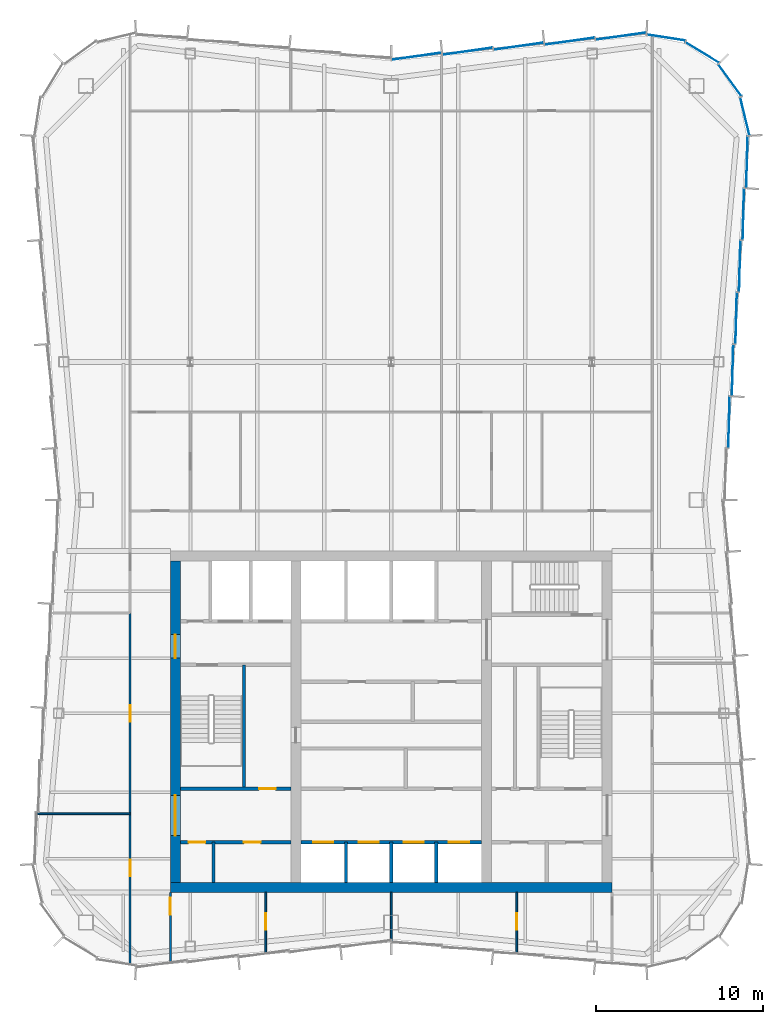
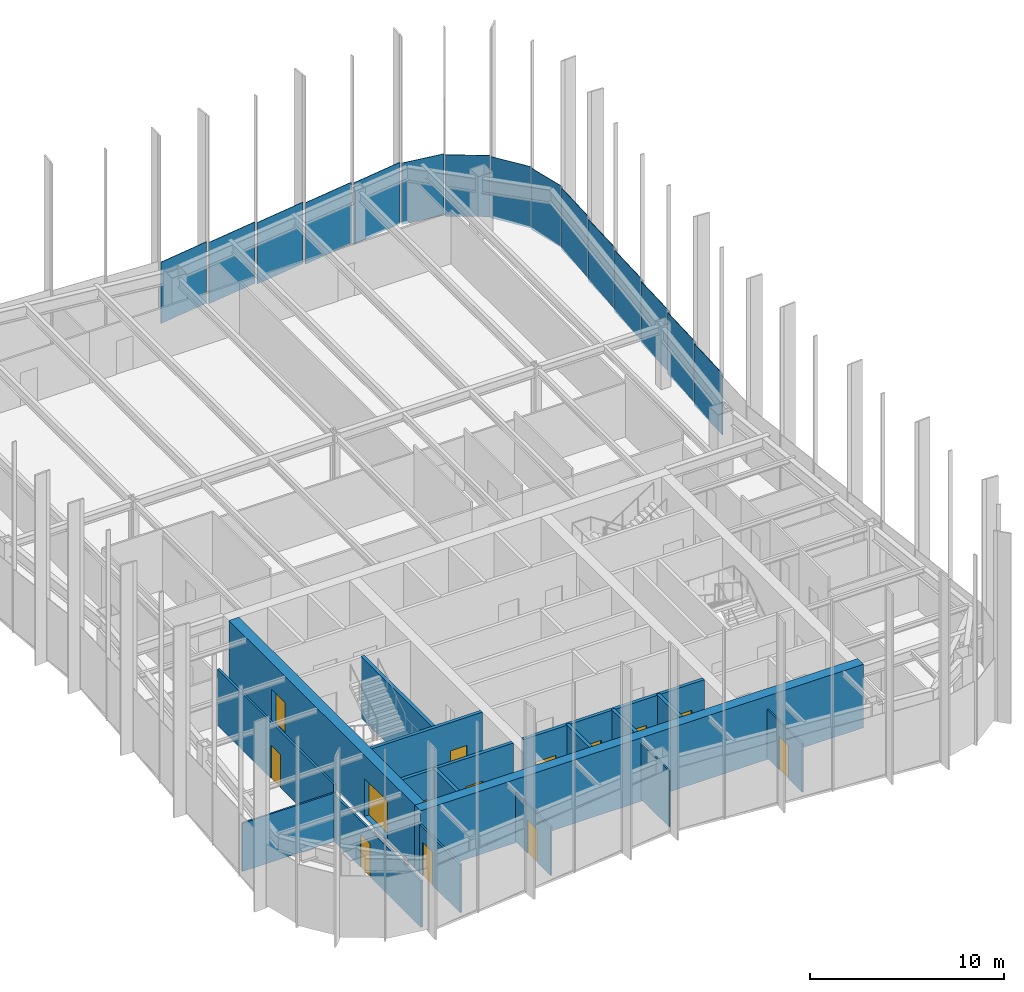
# One storey, part 9 of 13: 17 walls, 15 plates, 14 doors, 14 openings, 3 elements without a shape of their own.
"""IFC4 building model written with IfcOpenShell, lengths in metres."""

from ifc_helpers import new_model, si_unit, direction, frame, frame_2d, origin, origin_2d, place, context, subcontext, project, spatial, rectangle, extrude, material, layer, layer_set, type_object, element, fill, aggregate, save


model = new_model("IFC4")

# Units and contexts
model_context = context("Model", 3, precision=1e-05, world=origin(), true_north=direction((0.0, 1.0)))
body_context = subcontext(model_context, "Body", "Model", "MODEL_VIEW")
ifc_project = project(units=[si_unit("LENGTHUNIT", "METRE"), si_unit("AREAUNIT", "SQUARE_METRE"), si_unit("VOLUMEUNIT", "CUBIC_METRE"), si_unit("PLANEANGLEUNIT", "RADIAN"), si_unit("MASSUNIT", "GRAM", prefix="KILO")], contexts=[model_context])

# Site, building, storey
site_placement = place(None, origin())
site = spatial("IfcSite", under=ifc_project, at=site_placement, CompositionType="ELEMENT")
building_placement = place(site_placement, origin())
building = spatial("IfcBuilding", under=site, at=building_placement, Name="Verdant Reach Tower", CompositionType="ELEMENT")
storey_placement = place(building_placement, frame((0.0, 0.0, 294.0)))
storey = spatial("IfcBuildingStorey", under=building, at=storey_placement, Name="L67", CompositionType="ELEMENT", Elevation=294.0)

# Curtain wall, plates
ifc_material_1 = material(Name="Anodised aluminium", Category="aluminium")
curtain_wall_type = type_object("IfcCurtainWallType", Name="EN-CW SYSTEM Z5", PredefinedType="NOTDEFINED", material=ifc_material_1)
curtain_wall_1_placement = place(storey_placement, origin())
curtain_wall_1 = element("IfcCurtainWall", 1, at=curtain_wall_1_placement, inside=storey, type_object=curtain_wall_type, Name="Curtain wall east, L67", PredefinedType="NOTDEFINED")
ifc_material_2 = material(Name="Tinted glass with champagne spandrel", Category="glass")
ifc_layer_1 = layer(ifc_material_2, 0.031982421875)
ifc_layer_set_1 = layer_set([ifc_layer_1], Name="EN-PANEL CHAMPAGNE")
plate_type_1 = type_object("IfcPlateType", Name="EN-PANEL CHAMPAGNE", PredefinedType="CURTAIN_PANEL", material=ifc_layer_set_1)
plate_1_placement = place(storey_placement, frame((20.18603515625, 45.90283203125, -0.219970703125), z_axis=(0.0, 0.0, 1.0), x_axis=(0.026965318308, 0.999636369691, 0.0)))
plate_1 = element("IfcPlate", 2, at=plate_1_placement, type_object=plate_type_1, Name="Glass panel east face part 2 2.1, L67", PredefinedType="CURTAIN_PANEL", context=body_context, shape_type="SweptSolid", body=[
    extrude(rectangle(XDim=3.048583984375, YDim=0.031982421875, at=origin_2d()), origin(), (0.0, 0.0, 1.0), 3.8701171875),
])
plate_2_placement = place(storey_placement, frame((20.400390625, 49.010009765625, -0.219970703125), z_axis=(0.0, 0.0, 1.0), x_axis=(0.026965318308, 0.999636369691, 0.0)))
plate_2 = element("IfcPlate", 3, at=plate_2_placement, type_object=plate_type_1, Name="Glass panel east face part 2 3.1, L67", PredefinedType="CURTAIN_PANEL", context=body_context, shape_type="SweptSolid", body=[
    extrude(rectangle(XDim=3.048583984375, YDim=0.031982421875, at=origin_2d()), origin(), (0.0, 0.0, 1.0), 3.8701171875),
])

curtain_wall_2_placement = place(storey_placement, origin())
curtain_wall_2 = element("IfcCurtainWall", 4, at=curtain_wall_2_placement, inside=storey, type_object=curtain_wall_type, Name="Curtain wall north-east corner, L67", PredefinedType="NOTDEFINED")
plate_3_placement = place(storey_placement, frame((21.132080078125, 64.173828125, -0.219970703125), z_axis=(0.0, 0.0, 1.0), x_axis=(-0.236471447122, 0.971638438256, 0.0)))
plate_3 = element("IfcPlate", 5, at=plate_3_placement, type_object=plate_type_1, Name="Glass panel north-east corner 1.1, L67", PredefinedType="CURTAIN_PANEL", context=body_context, shape_type="SweptSolid", body=[
    extrude(rectangle(XDim=2.312744140625, YDim=0.031982421875, at=origin_2d()), origin(), (0.0, 0.0, 1.0), 3.8701171875),
])
plate_4_placement = place(storey_placement, frame((20.23681640625, 66.33203125, -0.219970703125), z_axis=(0.0, 0.0, 1.0), x_axis=(-0.58992672698, 0.807456783236, 0.0)))
plate_4 = element("IfcPlate", 6, at=plate_4_placement, type_object=plate_type_1, Name="Glass panel north-east corner 2.1, L67", PredefinedType="CURTAIN_PANEL", context=body_context, shape_type="SweptSolid", body=[
    extrude(rectangle(XDim=2.320068359375, YDim=0.031982421875, at=origin_2d()), origin(), (0.0, 0.0, 1.0), 3.8701171875),
])

# Plate
ifc_material_3 = material(Name="Tinted glass with copper spandrel", Category="glass")
ifc_layer_2 = layer(ifc_material_3, 0.031982421875)
ifc_layer_set_2 = layer_set([ifc_layer_2], Name="EN-PANEL COPPER")
plate_type_2 = type_object("IfcPlateType", Name="EN-PANEL COPPER", PredefinedType="CURTAIN_PANEL", material=ifc_layer_set_2)
plate_5_placement = place(storey_placement, frame((20.61474609375, 52.1171875, -0.219970703125), z_axis=(0.0, 0.0, 1.0), x_axis=(0.026965318308, 0.999636369691, 0.0)))
plate_5 = element("IfcPlate", 7, at=plate_5_placement, type_object=plate_type_2, Name="Glass panel east face part 2 4.1, L67", PredefinedType="CURTAIN_PANEL", context=body_context, shape_type="SweptSolid", body=[
    extrude(rectangle(XDim=3.048583984375, YDim=0.031982421875, at=origin_2d()), origin(), (0.0, 0.0, 1.0), 3.8701171875),
])

plate_6_placement = place(storey_placement, frame((20.8291015625, 55.22412109375, -0.219970703125), z_axis=(0.0, 0.0, 1.0), x_axis=(0.026965318308, 0.999636369691, 0.0)))
plate_6 = element("IfcPlate", 8, at=plate_6_placement, type_object=plate_type_2, Name="Glass panel east face part 2 5.1, L67", PredefinedType="CURTAIN_PANEL", context=body_context, shape_type="SweptSolid", body=[
    extrude(rectangle(XDim=3.048583984375, YDim=0.031982421875, at=origin_2d()), origin(), (0.0, 0.0, 1.0), 3.8701171875),
])

plate_7_placement = place(storey_placement, frame((21.043212890625, 58.331298828125, -0.219970703125), z_axis=(0.0, 0.0, 1.0), x_axis=(0.026965318308, 0.999636369691, 0.0)))
plate_7 = element("IfcPlate", 9, at=plate_7_placement, type_object=plate_type_2, Name="Glass panel east face part 2 6.1, L67", PredefinedType="CURTAIN_PANEL", context=body_context, shape_type="SweptSolid", body=[
    extrude(rectangle(XDim=3.048583984375, YDim=0.031982421875, at=origin_2d()), origin(), (0.0, 0.0, 1.0), 3.8701171875),
])

plate_8_placement = place(storey_placement, frame((18.58203125, 67.98681640625, -0.219970703125), z_axis=(0.0, 0.0, 1.0), x_axis=(-0.853988714885, 0.520291528711, 0.0)))
plate_8 = element("IfcPlate", 10, at=plate_8_placement, type_object=plate_type_2, Name="Glass panel north-east corner 3.1, L67", PredefinedType="CURTAIN_PANEL", context=body_context, shape_type="SweptSolid", body=[
    extrude(rectangle(XDim=2.320068359375, YDim=0.031982421875, at=origin_2d()), origin(), (0.0, 0.0, 1.0), 3.8701171875),
])

plate_9_placement = place(storey_placement, frame((16.4228515625, 68.88232421875, -0.219970703125), z_axis=(0.0, 0.0, 1.0), x_axis=(-0.988033409454, 0.154240013621, 0.0)))
plate_9 = element("IfcPlate", 11, at=plate_9_placement, type_object=plate_type_2, Name="Glass panel north-east corner 4.1, L67", PredefinedType="CURTAIN_PANEL", context=body_context, shape_type="SweptSolid", body=[
    extrude(rectangle(XDim=2.314453125, YDim=0.031982421875, at=origin_2d()), origin(), (0.0, 0.0, 1.0), 3.8701171875),
])

aggregate(curtain_wall_2, [plate_3, plate_4, plate_8, plate_9])

# Curtain wall, plates
curtain_wall_3_placement = place(storey_placement, origin())
curtain_wall_3 = element("IfcCurtainWall", 12, at=curtain_wall_3_placement, inside=storey, type_object=curtain_wall_type, Name="Curtain wall north, L67", PredefinedType="NOTDEFINED")
plate_10_placement = place(storey_placement, frame((13.72216796875, 68.964599609375, -0.219970703125), z_axis=(0.0, 0.0, 1.0), x_axis=(-0.990281521639, -0.139077345032, 0.0)))
plate_10 = element("IfcPlate", 13, at=plate_10_placement, type_object=plate_type_2, Name="Glass panel north face part 1 1.1, L67", PredefinedType="CURTAIN_PANEL", context=body_context, shape_type="SweptSolid", body=[
    extrude(rectangle(XDim=3.015625, YDim=0.031982421875, at=origin_2d()), origin(), (0.0, 0.0, 1.0), 3.8701171875),
])
plate_11_placement = place(storey_placement, frame((10.663818359375, 68.66455078125, -0.219970703125), z_axis=(0.0, 0.0, 1.0), x_axis=(-0.990225318365, -0.139476947446, 0.0)))
plate_11 = element("IfcPlate", 14, at=plate_11_placement, type_object=plate_type_2, Name="Glass panel north face part 1 2.1, L67", PredefinedType="CURTAIN_PANEL", context=body_context, shape_type="SweptSolid", body=[
    extrude(rectangle(XDim=2.998779296875, YDim=0.031982421875, at=origin_2d()), origin(), (0.0, 0.0, 1.0), 3.8701171875),
])
plate_12_placement = place(storey_placement, frame((7.61376953125, 68.364501953125, -0.219970703125), z_axis=(0.0, 0.0, 1.0), x_axis=(-0.990225318365, -0.139476947446, 0.0)))
plate_12 = element("IfcPlate", 15, at=plate_12_placement, type_object=plate_type_2, Name="Glass panel north face part 1 3.1, L67", PredefinedType="CURTAIN_PANEL", context=body_context, shape_type="SweptSolid", body=[
    extrude(rectangle(XDim=2.998779296875, YDim=0.031982421875, at=origin_2d()), origin(), (0.0, 0.0, 1.0), 3.8701171875),
])

# Plate
ifc_material_4 = material(Name="Tinted glass with dark bronze spandrel", Category="glass")
ifc_layer_3 = layer(ifc_material_4, 0.031982421875)
ifc_layer_set_3 = layer_set([ifc_layer_3], Name="EN-PANEL DARK")
plate_type_3 = type_object("IfcPlateType", Name="EN-PANEL DARK", PredefinedType="CURTAIN_PANEL", material=ifc_layer_set_3)
plate_13_placement = place(storey_placement, frame((21.257568359375, 61.446044921875, -0.219970703125), z_axis=(0.0, 0.0, 1.0), x_axis=(0.026642881595, 0.999645015423, 0.0)))
plate_13 = element("IfcPlate", 16, at=plate_13_placement, type_object=plate_type_3, Name="Glass panel east face part 2 7.1, L67", PredefinedType="CURTAIN_PANEL", context=body_context, shape_type="SweptSolid", body=[
    extrude(rectangle(XDim=3.063720703125, YDim=0.031982421875, at=origin_2d()), origin(), (0.0, 0.0, 1.0), 3.8701171875),
])

aggregate(curtain_wall_1, [plate_1, plate_2, plate_5, plate_6, plate_7, plate_13])

plate_14_placement = place(storey_placement, frame((4.563720703125, 68.064453125, -0.219970703125), z_axis=(0.0, 0.0, 1.0), x_axis=(-0.990225318365, -0.139476947446, 0.0)))
plate_14 = element("IfcPlate", 17, at=plate_14_placement, type_object=plate_type_3, Name="Glass panel north face part 1 4.1, L67", PredefinedType="CURTAIN_PANEL", context=body_context, shape_type="SweptSolid", body=[
    extrude(rectangle(XDim=2.998779296875, YDim=0.031982421875, at=origin_2d()), origin(), (0.0, 0.0, 1.0), 3.8701171875),
])

plate_15_placement = place(storey_placement, frame((1.519287109375, 67.7646484375, -0.219970703125), z_axis=(0.0, 0.0, 1.0), x_axis=(-0.990200074141, -0.139656053116, 0.0)))
plate_15 = element("IfcPlate", 18, at=plate_15_placement, type_object=plate_type_3, Name="Glass panel north face part 1 5.1, L67", PredefinedType="CURTAIN_PANEL", context=body_context, shape_type="SweptSolid", body=[
    extrude(rectangle(XDim=2.987548828125, YDim=0.031982421875, at=origin_2d()), origin(), (0.0, 0.0, 1.0), 3.8701171875),
])

aggregate(curtain_wall_3, [plate_10, plate_11, plate_12, plate_14, plate_15])

# Wall, openings, doors
ifc_material_5 = material(Name="Gypsum board on steel studs", Category="steel")
ifc_layer_4 = layer(ifc_material_5, 0.199951171875)
ifc_layer_set_4 = layer_set([ifc_layer_4], Name="CO-WALL-ROOM")
wall_type_1 = type_object("IfcWallType", Name="CO-WALL-ROOM", PredefinedType="PARTITIONING", material=ifc_layer_set_4)
wall_1_placement = place(storey_placement, frame((-12.60009765625, 20.800048828125, 0.0), z_axis=(0.0, 0.0, 1.0), x_axis=(1.0, 0.0, 0.0)))
wall_1 = element("IfcWall", 19, at=wall_1_placement, inside=storey, type_object=wall_type_1, Name="Core partition, L67", PredefinedType="PARTITIONING", context=body_context, shape_type="SweptSolid", body=[
    extrude(rectangle(XDim=6.60009765625, YDim=0.199951171875, at=frame_2d((3.300048828125, 0.0))), origin(), (0.0, 0.0, 1.0), 3.8701171875),
])
opening_1_placement = place(wall_1_placement, frame((0.489990234375, 0.0, 0.0)))
opening_1 = element("IfcOpeningElement", 20, at=opening_1_placement, cuts=wall_1, Name="Opening CD", PredefinedType="OPENING", context=body_context, shape_type="SweptSolid", body=[
    extrude(rectangle(XDim=1.0, YDim=2.10009765625, at=frame_2d((0.5, 1.050048828125))), frame((0.0, 0.10986328125, 0.0), z_axis=(0.0, -1.0, 0.0), x_axis=(1.0, 0.0, 0.0)), (0.0, 0.0, 1.0), 0.219970703125),
])
opening_2_placement = place(wall_1_placement, frame((3.7900390625, 0.0, 0.0)))
opening_2 = element("IfcOpeningElement", 21, at=opening_2_placement, cuts=wall_1, Name="Opening CD", PredefinedType="OPENING", context=body_context, shape_type="SweptSolid", body=[
    extrude(rectangle(XDim=1.0, YDim=2.10009765625, at=frame_2d((0.5, 1.050048828125))), frame((0.0, 0.10986328125, 0.0), z_axis=(0.0, -1.0, 0.0), x_axis=(1.0, 0.0, 0.0)), (0.0, 0.0, 1.0), 0.219970703125),
])
ifc_material_6 = material(Name="Timber", Category="wood")
door_type_1 = type_object("IfcDoorType", Name="CO-DOOR-ROOM", OperationType="NOTDEFINED", PredefinedType="DOOR", material=ifc_material_6)
door_1_placement = place(opening_1_placement, origin())
door_1 = element("IfcDoor", 22, at=door_1_placement, inside=storey, type_object=door_type_1, Name="Core room door, L67", OperationType="SINGLE_SWING_RIGHT", OverallHeight=2.10009765625, OverallWidth=1.0, PredefinedType="DOOR", context=body_context, shape_type="SweptSolid", body=[
    extrude(rectangle(XDim=1.0, YDim=2.10009765625, at=frame_2d((0.5, 1.050048828125))), frame((0.0, 0.02490234375, 0.0), z_axis=(0.0, -1.0, 0.0), x_axis=(1.0, 0.0, 0.0)), (0.0, 0.0, 1.0), 0.050048828125),
])
fill(opening_1, door_1)
door_2_placement = place(opening_2_placement, origin())
door_2 = element("IfcDoor", 23, at=door_2_placement, inside=storey, type_object=door_type_1, Name="Core room door, L67", OperationType="SINGLE_SWING_RIGHT", OverallHeight=2.10009765625, OverallWidth=1.0, PredefinedType="DOOR", context=body_context, shape_type="SweptSolid", body=[
    extrude(rectangle(XDim=1.0, YDim=2.10009765625, at=frame_2d((0.5, 1.050048828125))), frame((0.0, 0.02490234375, 0.0), z_axis=(0.0, -1.0, 0.0), x_axis=(1.0, 0.0, 0.0)), (0.0, 0.0, 1.0), 0.050048828125),
])
fill(opening_2, door_2)

# Wall
wall_2_placement = place(storey_placement, frame((-10.6201171875, 18.39990234375, 0.0), z_axis=(0.0, 0.0, 1.0), x_axis=(0.0, 1.0, 0.0)))
element("IfcWall", 24, at=wall_2_placement, inside=storey, type_object=wall_type_1, Name="Core partition, L67", PredefinedType="PARTITIONING", context=body_context, shape_type="SweptSolid", body=[
    extrude(rectangle(XDim=2.400146484375, YDim=0.199951171875, at=frame_2d((1.2001953125, 0.0))), origin(), (0.0, 0.0, 1.0), 3.8701171875),
])

# Wall, openings, doors
ifc_material_7 = material(Name="Concrete C40/50", Category="concrete")
ifc_layer_5 = layer(ifc_material_7, 0.199951171875)
ifc_layer_set_5 = layer_set([ifc_layer_5], Name="CO-WALL-SHAFT")
wall_type_2 = type_object("IfcWallType", Name="CO-WALL-SHAFT", PredefinedType="PARTITIONING", material=ifc_layer_set_5)
wall_3_placement = place(storey_placement, frame((-5.39990234375, 20.800048828125, 0.0), z_axis=(0.0, 0.0, 1.0), x_axis=(1.0, 0.0, 0.0)))
wall_3 = element("IfcWall", 25, at=wall_3_placement, inside=storey, type_object=wall_type_2, Name="Lift shaft wall, L67", PredefinedType="PARTITIONING", context=body_context, shape_type="SweptSolid", body=[
    extrude(rectangle(XDim=10.7998046875, YDim=0.199951171875, at=frame_2d((5.39990234375, 0.0))), origin(), (0.0, 0.0, 1.0), 3.8701171875),
])
opening_3_placement = place(wall_3_placement, frame((0.75, 0.0, 0.0)))
opening_3 = element("IfcOpeningElement", 26, at=opening_3_placement, cuts=wall_3, Name="Opening LD-B1", PredefinedType="OPENING", context=body_context, shape_type="SweptSolid", body=[
    extrude(rectangle(XDim=1.199951171875, YDim=2.199951171875, at=frame_2d((0.60009765625, 1.10009765625))), frame((0.0, 0.10986328125, 0.0), z_axis=(0.0, -1.0, 0.0), x_axis=(1.0, 0.0, 0.0)), (0.0, 0.0, 1.0), 0.219970703125),
])
opening_4_placement = place(wall_3_placement, frame((3.449951171875, 0.0, 0.0)))
opening_4 = element("IfcOpeningElement", 27, at=opening_4_placement, cuts=wall_3, Name="Opening LD-B2", PredefinedType="OPENING", context=body_context, shape_type="SweptSolid", body=[
    extrude(rectangle(XDim=1.199951171875, YDim=2.199951171875, at=frame_2d((0.60009765625, 1.10009765625))), frame((0.0, 0.10986328125, 0.0), z_axis=(0.0, -1.0, 0.0), x_axis=(1.0, 0.0, 0.0)), (0.0, 0.0, 1.0), 0.219970703125),
])
opening_5_placement = place(wall_3_placement, frame((6.14990234375, 0.0, 0.0)))
opening_5 = element("IfcOpeningElement", 28, at=opening_5_placement, cuts=wall_3, Name="Opening LD-B3", PredefinedType="OPENING", context=body_context, shape_type="SweptSolid", body=[
    extrude(rectangle(XDim=1.199951171875, YDim=2.199951171875, at=frame_2d((0.60009765625, 1.10009765625))), frame((0.0, 0.10986328125, 0.0), z_axis=(0.0, -1.0, 0.0), x_axis=(1.0, 0.0, 0.0)), (0.0, 0.0, 1.0), 0.219970703125),
])
opening_6_placement = place(wall_3_placement, frame((8.85009765625, 0.0, 0.0)))
opening_6 = element("IfcOpeningElement", 29, at=opening_6_placement, cuts=wall_3, Name="Opening LD-B4", PredefinedType="OPENING", context=body_context, shape_type="SweptSolid", body=[
    extrude(rectangle(XDim=1.199951171875, YDim=2.199951171875, at=frame_2d((0.60009765625, 1.10009765625))), frame((0.0, 0.10986328125, 0.0), z_axis=(0.0, -1.0, 0.0), x_axis=(1.0, 0.0, 0.0)), (0.0, 0.0, 1.0), 0.219970703125),
])
ifc_material_8 = material(Name="Stainless steel", Category="steel")
door_type_2 = type_object("IfcDoorType", Name="CO-DOOR-LANDING", OperationType="SLIDING_TO_LEFT", PredefinedType="DOOR", material=ifc_material_8)
door_3_placement = place(opening_3_placement, origin())
door_3 = element("IfcDoor", 30, at=door_3_placement, inside=storey, type_object=door_type_2, Name="Landing door B1, L67", OperationType="SLIDING_TO_LEFT", OverallHeight=2.199951171875, OverallWidth=1.199951171875, PredefinedType="DOOR", context=body_context, shape_type="SweptSolid", body=[
    extrude(rectangle(XDim=1.199951171875, YDim=2.199951171875, at=frame_2d((0.60009765625, 1.10009765625))), frame((0.0, 0.02490234375, 0.0), z_axis=(0.0, -1.0, 0.0), x_axis=(1.0, 0.0, 0.0)), (0.0, 0.0, 1.0), 0.050048828125),
])
fill(opening_3, door_3)
door_4_placement = place(opening_4_placement, origin())
door_4 = element("IfcDoor", 31, at=door_4_placement, inside=storey, type_object=door_type_2, Name="Landing door B2, L67", OperationType="SLIDING_TO_LEFT", OverallHeight=2.199951171875, OverallWidth=1.199951171875, PredefinedType="DOOR", context=body_context, shape_type="SweptSolid", body=[
    extrude(rectangle(XDim=1.199951171875, YDim=2.199951171875, at=frame_2d((0.60009765625, 1.10009765625))), frame((0.0, 0.02490234375, 0.0), z_axis=(0.0, -1.0, 0.0), x_axis=(1.0, 0.0, 0.0)), (0.0, 0.0, 1.0), 0.050048828125),
])
fill(opening_4, door_4)
door_5_placement = place(opening_5_placement, origin())
door_5 = element("IfcDoor", 32, at=door_5_placement, inside=storey, type_object=door_type_2, Name="Landing door B3, L67", OperationType="SLIDING_TO_LEFT", OverallHeight=2.199951171875, OverallWidth=1.199951171875, PredefinedType="DOOR", context=body_context, shape_type="SweptSolid", body=[
    extrude(rectangle(XDim=1.199951171875, YDim=2.199951171875, at=frame_2d((0.60009765625, 1.10009765625))), frame((0.0, 0.02490234375, 0.0), z_axis=(0.0, -1.0, 0.0), x_axis=(1.0, 0.0, 0.0)), (0.0, 0.0, 1.0), 0.050048828125),
])
fill(opening_5, door_5)
door_6_placement = place(opening_6_placement, origin())
door_6 = element("IfcDoor", 33, at=door_6_placement, inside=storey, type_object=door_type_2, Name="Landing door B4, L67", OperationType="SLIDING_TO_LEFT", OverallHeight=2.199951171875, OverallWidth=1.199951171875, PredefinedType="DOOR", context=body_context, shape_type="SweptSolid", body=[
    extrude(rectangle(XDim=1.199951171875, YDim=2.199951171875, at=frame_2d((0.60009765625, 1.10009765625))), frame((0.0, 0.02490234375, 0.0), z_axis=(0.0, -1.0, 0.0), x_axis=(1.0, 0.0, 0.0)), (0.0, 0.0, 1.0), 0.050048828125),
])
fill(opening_6, door_6)

# Walls
for number, where, z_axis, x_axis, name in (
    (34, (-2.699951171875, 18.39990234375, 0.0), (0.0, 0.0, 1.0), (0.0, 1.0, 0.0), "Lift shaft wall, L67"),
    (35, (0.0, 18.39990234375, 0.0), (0.0, 0.0, 1.0), (0.0, 1.0, 0.0), "Lift shaft wall, L67"),
    (36, (2.699951171875, 18.39990234375, 0.0), (0.0, 0.0, 1.0), (0.0, 1.0, 0.0), "Lift shaft wall, L67"),
):
    element("IfcWall", number, at=place(storey_placement, frame(where, z_axis=z_axis, x_axis=x_axis)), inside=storey, type_object=wall_type_2, Name=name, PredefinedType="PARTITIONING", context=body_context, shape_type="SweptSolid", body=[
        extrude(rectangle(XDim=2.400146484375, YDim=0.199951171875, at=frame_2d((1.2001953125, 0.0))), origin(), (0.0, 0.0, 1.0), 3.8701171875),
    ])

# Wall, opening, door
ifc_layer_6 = layer(ifc_material_7, 0.199951171875)
ifc_layer_set_6 = layer_set([ifc_layer_6], Name="CO-WALL-STAIR")
wall_type_3 = type_object("IfcWallType", Name="CO-WALL-STAIR", PredefinedType="PARTITIONING", material=ifc_layer_set_6)
wall_4_placement = place(storey_placement, frame((-12.60009765625, 24.0, 0.0), z_axis=(0.0, 0.0, 1.0), x_axis=(1.0, 0.0, 0.0)))
wall_4 = element("IfcWall", 37, at=wall_4_placement, inside=storey, type_object=wall_type_3, Name="Stair enclosure wall, L67", PredefinedType="PARTITIONING", context=body_context, shape_type="SweptSolid", body=[
    extrude(rectangle(XDim=6.60009765625, YDim=0.199951171875, at=frame_2d((3.300048828125, 0.0))), origin(), (0.0, 0.0, 1.0), 3.8701171875),
])
opening_7_placement = place(wall_4_placement, frame((4.699951171875, 0.0, 0.0)))
opening_7 = element("IfcOpeningElement", 38, at=opening_7_placement, cuts=wall_4, Name="Opening CD", PredefinedType="OPENING", context=body_context, shape_type="SweptSolid", body=[
    extrude(rectangle(XDim=1.0, YDim=2.10009765625, at=frame_2d((0.5, 1.050048828125))), frame((0.0, 0.10986328125, 0.0), z_axis=(0.0, -1.0, 0.0), x_axis=(1.0, 0.0, 0.0)), (0.0, 0.0, 1.0), 0.219970703125),
])
door_7_placement = place(opening_7_placement, origin())
door_7 = element("IfcDoor", 39, at=door_7_placement, inside=storey, type_object=door_type_1, Name="Core room door, L67", OperationType="SINGLE_SWING_RIGHT", OverallHeight=2.10009765625, OverallWidth=1.0, PredefinedType="DOOR", context=body_context, shape_type="SweptSolid", body=[
    extrude(rectangle(XDim=1.0, YDim=2.10009765625, at=frame_2d((0.5, 1.050048828125))), frame((0.0, 0.02490234375, 0.0), z_axis=(0.0, -1.0, 0.0), x_axis=(1.0, 0.0, 0.0)), (0.0, 0.0, 1.0), 0.050048828125),
])
fill(opening_7, door_7)

# Walls
wall_5_placement = place(storey_placement, frame((-8.800048828125, 24.0, 0.0), z_axis=(0.0, 0.0, 1.0), x_axis=(0.0, 1.0, 0.0)))
element("IfcWall", 40, at=wall_5_placement, inside=storey, type_object=wall_type_3, Name="Stair enclosure wall, L67", PredefinedType="PARTITIONING", context=body_context, shape_type="SweptSolid", body=[
    extrude(rectangle(XDim=7.39990234375, YDim=0.199951171875, at=frame_2d((3.699951171875, 0.0))), origin(), (0.0, 0.0, 1.0), 3.8701171875),
])
ifc_layer_7 = layer(ifc_material_5, 0.10009765625)
ifc_layer_set_7 = layer_set([ifc_layer_7], Name="FL-W1 Partition 100")
wall_type_4 = type_object("IfcWallType", Name="FL-W1 Partition 100", PredefinedType="PARTITIONING", material=ifc_layer_set_7)
wall_6_placement = place(storey_placement, frame((-15.60009765625, 22.5, 0.0), z_axis=(0.0, 0.0, 1.0), x_axis=(-1.0, 0.0, 0.0)))
element("IfcWall", 41, at=wall_6_placement, inside=storey, type_object=wall_type_4, Name="Partition 67.17", PredefinedType="PARTITIONING", context=body_context, shape_type="SweptSolid", body=[
    extrude(rectangle(XDim=5.52294921875, YDim=0.10009765625, at=frame_2d((2.761474609375, 0.0))), origin(), (0.0, 0.0, 1.0), 3.0400390625),
])

# Wall, opening, door
wall_7_placement = place(storey_placement, frame((-7.5, 17.800048828125, 0.0), z_axis=(0.0, 0.0, 1.0), x_axis=(0.0, -1.0, 0.0)))
wall_7 = element("IfcWall", 42, at=wall_7_placement, inside=storey, type_object=wall_type_4, Name="Partition 67.29", PredefinedType="PARTITIONING", context=body_context, shape_type="SweptSolid", body=[
    extrude(rectangle(XDim=3.61767578125, YDim=0.10009765625, at=frame_2d((1.808837890625, 0.0))), origin(), (0.0, 0.0, 1.0), 3.0400390625),
])
opening_8_placement = place(wall_7_placement, frame((1.24365234375, 0.0, 0.0)))
opening_8 = element("IfcOpeningElement", 43, at=opening_8_placement, cuts=wall_7, Name="Opening D3", PredefinedType="OPENING", context=body_context, shape_type="SweptSolid", body=[
    extrude(rectangle(XDim=1.0, YDim=2.10009765625, at=frame_2d((0.5, 1.050048828125))), frame((0.0, 0.06005859375, 0.0), z_axis=(0.0, -1.0, 0.0), x_axis=(1.0, 0.0, 0.0)), (0.0, 0.0, 1.0), 0.1201171875),
])
ifc_material_9 = material(Name="Painted timber door leaf", Category="wood")
door_type_3 = type_object("IfcDoorType", Name="FL-D3 Door 1000x2100", OperationType="NOTDEFINED", PredefinedType="DOOR", material=ifc_material_9)
door_8_placement = place(opening_8_placement, origin())
door_8 = element("IfcDoor", 44, at=door_8_placement, inside=storey, type_object=door_type_3, Name="Door 67-015", OperationType="SINGLE_SWING_LEFT", OverallHeight=2.10009765625, OverallWidth=1.0, PredefinedType="DOOR", context=body_context, shape_type="SweptSolid", body=[
    extrude(rectangle(XDim=1.0, YDim=2.10009765625, at=frame_2d((0.5, 1.050048828125))), frame((0.0, 0.02490234375, 0.0), z_axis=(0.0, -1.0, 0.0), x_axis=(1.0, 0.0, 0.0)), (0.0, 0.0, 1.0), 0.050048828125),
])
fill(opening_8, door_8)

# Wall
wall_8_placement = place(storey_placement, frame((0.0, 14.919921875, 0.0), z_axis=(0.0, 0.0, 1.0), x_axis=(0.0, 1.0, 0.0)))
element("IfcWall", 45, at=wall_8_placement, inside=storey, type_object=wall_type_4, Name="Partition 67.30", PredefinedType="PARTITIONING", context=body_context, shape_type="SweptSolid", body=[
    extrude(rectangle(XDim=2.880126953125, YDim=0.10009765625, at=frame_2d((1.43994140625, 0.0))), origin(), (0.0, 0.0, 1.0), 3.5400390625),
])

# Wall, opening, door
wall_9_placement = place(storey_placement, frame((7.5, 14.182373046875, 0.0), z_axis=(0.0, 0.0, 1.0), x_axis=(0.0, 1.0, 0.0)))
wall_9 = element("IfcWall", 46, at=wall_9_placement, inside=storey, type_object=wall_type_4, Name="Partition 67.31", PredefinedType="PARTITIONING", context=body_context, shape_type="SweptSolid", body=[
    extrude(rectangle(XDim=3.61767578125, YDim=0.10009765625, at=frame_2d((1.808837890625, 0.0))), origin(), (0.0, 0.0, 1.0), 3.0400390625),
])
opening_9_placement = place(wall_9_placement, frame((1.3740234375, 0.0, 0.0)))
opening_9 = element("IfcOpeningElement", 47, at=opening_9_placement, cuts=wall_9, Name="Opening D3", PredefinedType="OPENING", context=body_context, shape_type="SweptSolid", body=[
    extrude(rectangle(XDim=1.0, YDim=2.10009765625, at=frame_2d((0.5, 1.050048828125))), frame((0.0, 0.06005859375, 0.0), z_axis=(0.0, -1.0, 0.0), x_axis=(1.0, 0.0, 0.0)), (0.0, 0.0, 1.0), 0.1201171875),
])
door_9_placement = place(opening_9_placement, origin())
door_9 = element("IfcDoor", 48, at=door_9_placement, inside=storey, type_object=door_type_3, Name="Door 67-016", OperationType="SINGLE_SWING_RIGHT", OverallHeight=2.10009765625, OverallWidth=1.0, PredefinedType="DOOR", context=body_context, shape_type="SweptSolid", body=[
    extrude(rectangle(XDim=1.0, YDim=2.10009765625, at=frame_2d((0.5, 1.050048828125))), frame((0.0, 0.02490234375, 0.0), z_axis=(0.0, -1.0, 0.0), x_axis=(1.0, 0.0, 0.0)), (0.0, 0.0, 1.0), 0.050048828125),
])
fill(opening_9, door_9)

ifc_material_10 = material(Name="Gypsum board on steel studs, fire rated", Category="steel")
ifc_layer_8 = layer(ifc_material_10, 0.125)
ifc_layer_set_8 = layer_set([ifc_layer_8], Name="FL-W2 Corridor wall 125")
wall_type_5 = type_object("IfcWallType", Name="FL-W2 Corridor wall 125", PredefinedType="PARTITIONING", material=ifc_layer_set_8)
wall_10_placement = place(storey_placement, frame((-15.60009765625, 13.489501953125, 0.0), z_axis=(0.0, 0.0, 1.0), x_axis=(0.0, 1.0, 0.0)))
wall_10 = element("IfcWall", 49, at=wall_10_placement, inside=storey, type_object=wall_type_5, Name="Partition 67.01", PredefinedType="PARTITIONING", context=body_context, shape_type="SweptSolid", body=[
    extrude(rectangle(XDim=9.010498046875, YDim=0.125, at=frame_2d((4.50537109375, 0.0))), origin(), (0.0, 0.0, 1.0), 2.929931640625),
])
opening_10_placement = place(wall_10_placement, frame((5.270751953125, 0.0, 0.0)))
opening_10 = element("IfcOpeningElement", 50, at=opening_10_placement, cuts=wall_10, Name="Opening D2", PredefinedType="OPENING", context=body_context, shape_type="SweptSolid", body=[
    extrude(rectangle(XDim=1.0, YDim=2.10009765625, at=frame_2d((0.5, 1.050048828125))), frame((0.0, 0.072509765625, 0.0), z_axis=(0.0, -1.0, 0.0), x_axis=(1.0, 0.0, 0.0)), (0.0, 0.0, 1.0), 0.14501953125),
])
ifc_material_11 = material(Name="Timber door leaf, fire rated", Category="wood")
door_type_4 = type_object("IfcDoorType", Name="FL-D2 Entrance door 1000x2100 FD30", OperationType="NOTDEFINED", PredefinedType="DOOR", material=ifc_material_11)
door_10_placement = place(opening_10_placement, origin())
door_10 = element("IfcDoor", 51, at=door_10_placement, inside=storey, type_object=door_type_4, Name="Door 67-001", OperationType="SINGLE_SWING_RIGHT", OverallHeight=2.10009765625, OverallWidth=1.0, PredefinedType="DOOR", context=body_context, shape_type="SweptSolid", body=[
    extrude(rectangle(XDim=1.0, YDim=2.10009765625, at=frame_2d((0.5, 1.050048828125))), frame((0.0, 0.02490234375, 0.0), z_axis=(0.0, -1.0, 0.0), x_axis=(1.0, 0.0, 0.0)), (0.0, 0.0, 1.0), 0.050048828125),
])
fill(opening_10, door_10)

wall_11_placement = place(storey_placement, frame((-15.60009765625, 22.5, 0.0), z_axis=(0.0, 0.0, 1.0), x_axis=(0.0, 1.0, 0.0)))
wall_11 = element("IfcWall", 52, at=wall_11_placement, inside=storey, type_object=wall_type_5, Name="Partition 67.02", PredefinedType="PARTITIONING", context=body_context, shape_type="SweptSolid", body=[
    extrude(rectangle(XDim=12.0, YDim=0.125, at=frame_2d((6.0, 0.0))), origin(), (0.0, 0.0, 1.0), 3.5400390625),
])
opening_11_placement = place(wall_11_placement, frame((5.5, 0.0, 0.0)))
opening_11 = element("IfcOpeningElement", 53, at=opening_11_placement, cuts=wall_11, Name="Opening D2", PredefinedType="OPENING", context=body_context, shape_type="SweptSolid", body=[
    extrude(rectangle(XDim=1.0, YDim=2.10009765625, at=frame_2d((0.5, 1.050048828125))), frame((0.0, 0.072509765625, 0.0), z_axis=(0.0, -1.0, 0.0), x_axis=(1.0, 0.0, 0.0)), (0.0, 0.0, 1.0), 0.14501953125),
])
door_11_placement = place(opening_11_placement, origin())
door_11 = element("IfcDoor", 54, at=door_11_placement, inside=storey, type_object=door_type_4, Name="Door 67-002", OperationType="SINGLE_SWING_RIGHT", OverallHeight=2.10009765625, OverallWidth=1.0, PredefinedType="DOOR", context=body_context, shape_type="SweptSolid", body=[
    extrude(rectangle(XDim=1.0, YDim=2.10009765625, at=frame_2d((0.5, 1.050048828125))), frame((0.0, 0.02490234375, 0.0), z_axis=(0.0, -1.0, 0.0), x_axis=(1.0, 0.0, 0.0)), (0.0, 0.0, 1.0), 0.050048828125),
])
fill(opening_11, door_11)

wall_12_placement = place(storey_placement, frame((-13.199951171875, 17.800048828125, 0.0), z_axis=(0.0, 0.0, 1.0), x_axis=(0.0, -1.0, 0.0)))
wall_12 = element("IfcWall", 55, at=wall_12_placement, inside=storey, type_object=wall_type_5, Name="Partition 67.09", PredefinedType="PARTITIONING", context=body_context, shape_type="SweptSolid", body=[
    extrude(rectangle(XDim=4.178466796875, YDim=0.125, at=frame_2d((2.08935546875, 0.0))), origin(), (0.0, 0.0, 1.0), 3.0400390625),
])
opening_12_placement = place(wall_12_placement, frame((0.32421875, 0.0, 0.0)))
opening_12 = element("IfcOpeningElement", 56, at=opening_12_placement, cuts=wall_12, Name="Opening D2", PredefinedType="OPENING", context=body_context, shape_type="SweptSolid", body=[
    extrude(rectangle(XDim=1.0, YDim=2.10009765625, at=frame_2d((0.5, 1.050048828125))), frame((0.0, 0.072509765625, 0.0), z_axis=(0.0, -1.0, 0.0), x_axis=(1.0, 0.0, 0.0)), (0.0, 0.0, 1.0), 0.14501953125),
])
door_12_placement = place(opening_12_placement, origin())
door_12 = element("IfcDoor", 57, at=door_12_placement, inside=storey, type_object=door_type_4, Name="Door 67-009", OperationType="SINGLE_SWING_LEFT", OverallHeight=2.10009765625, OverallWidth=1.0, PredefinedType="DOOR", context=body_context, shape_type="SweptSolid", body=[
    extrude(rectangle(XDim=1.0, YDim=2.10009765625, at=frame_2d((0.5, 1.050048828125))), frame((0.0, 0.02490234375, 0.0), z_axis=(0.0, -1.0, 0.0), x_axis=(1.0, 0.0, 0.0)), (0.0, 0.0, 1.0), 0.050048828125),
])
fill(opening_12, door_12)

# Wall
ifc_material_12 = material(Name="Concrete C70/85", Category="concrete")
ifc_layer_9 = layer(ifc_material_12, 0.60009765625)
ifc_layer_set_9 = layer_set([ifc_layer_9], Name="ST-CORE-WALL-600")
wall_type_6 = type_object("IfcWallType", Name="ST-CORE-WALL-600", PredefinedType="SHEAR", material=ifc_layer_set_9)
wall_13_placement = place(storey_placement, frame((-13.199951171875, 18.10009765625, -0.1298828125), z_axis=(0.0, 0.0, 1.0), x_axis=(1.0, 0.0, 0.0)))
element("IfcWall", 58, at=wall_13_placement, inside=storey, type_object=wall_type_6, Name="Core wall S, L67", PredefinedType="SHEAR", context=body_context, shape_type="SweptSolid", body=[
    extrude(rectangle(XDim=26.39990234375, YDim=0.60009765625, at=frame_2d((13.199951171875, 0.0))), origin(), (0.0, 0.0, 1.0), 4.0),
])

# Wall, openings, doors
wall_14_placement = place(storey_placement, frame((-12.89990234375, 18.39990234375, -0.1298828125), z_axis=(0.0, 0.0, 1.0), x_axis=(0.0, 1.0, 0.0)))
wall_14 = element("IfcWall", 59, at=wall_14_placement, inside=storey, type_object=wall_type_6, Name="Core wall W, L67", PredefinedType="SHEAR", context=body_context, shape_type="SweptSolid", body=[
    extrude(rectangle(XDim=19.2001953125, YDim=0.60009765625, at=frame_2d((9.60009765625, 0.0))), origin(), (0.0, 0.0, 1.0), 4.0),
])
opening_13_placement = place(wall_14_placement, frame((2.800048828125, 0.0, 0.1298828125)))
opening_13 = element("IfcOpeningElement", 60, at=opening_13_placement, cuts=wall_14, Name="Opening LB", PredefinedType="OPENING", context=body_context, shape_type="SweptSolid", body=[
    extrude(rectangle(XDim=2.39990234375, YDim=2.39990234375, at=frame_2d((1.199951171875, 1.199951171875))), frame((0.0, 0.31005859375, 0.0), z_axis=(0.0, -1.0, 0.0), x_axis=(1.0, 0.0, 0.0)), (0.0, 0.0, 1.0), 0.6201171875),
])
opening_14_placement = place(wall_14_placement, frame((13.39990234375, 0.0, 0.1298828125)))
opening_14 = element("IfcOpeningElement", 61, at=opening_14_placement, cuts=wall_14, Name="Opening FL", PredefinedType="OPENING", context=body_context, shape_type="SweptSolid", body=[
    extrude(rectangle(XDim=1.39990234375, YDim=2.199951171875, at=frame_2d((0.699951171875, 1.10009765625))), frame((0.0, 0.31005859375, 0.0), z_axis=(0.0, -1.0, 0.0), x_axis=(1.0, 0.0, 0.0)), (0.0, 0.0, 1.0), 0.6201171875),
])
ifc_material_13 = material(Name="Steel", Category="steel")
door_type_5 = type_object("IfcDoorType", Name="CO-DOOR-FFL", OperationType="NOTDEFINED", PredefinedType="DOOR", material=ifc_material_13)
door_13_placement = place(opening_14_placement, origin())
door_13 = element("IfcDoor", 62, at=door_13_placement, inside=storey, type_object=door_type_5, Name="Core entrance door, L67", OperationType="SINGLE_SWING_LEFT", OverallHeight=2.199951171875, OverallWidth=1.39990234375, PredefinedType="DOOR", context=body_context, shape_type="SweptSolid", body=[
    extrude(rectangle(XDim=1.39990234375, YDim=2.199951171875, at=frame_2d((0.699951171875, 1.10009765625))), frame((0.0, 0.02490234375, 0.0), z_axis=(0.0, -1.0, 0.0), x_axis=(1.0, 0.0, 0.0)), (0.0, 0.0, 1.0), 0.050048828125),
])
fill(opening_14, door_13)
ifc_material_14 = material(Name="Glass and steel", Category="steel")
door_type_6 = type_object("IfcDoorType", Name="CO-DOOR-LOBBY", OperationType="DOUBLE_DOOR_SINGLE_SWING", PredefinedType="DOOR", material=ifc_material_14)
door_14_placement = place(opening_13_placement, origin())
door_14 = element("IfcDoor", 63, at=door_14_placement, inside=storey, type_object=door_type_6, Name="Core entrance door, L67", OperationType="DOUBLE_DOOR_SINGLE_SWING", OverallHeight=2.39990234375, OverallWidth=2.39990234375, PredefinedType="DOOR", context=body_context, shape_type="SweptSolid", body=[
    extrude(rectangle(XDim=2.39990234375, YDim=2.39990234375, at=frame_2d((1.199951171875, 1.199951171875))), frame((0.0, 0.02490234375, 0.0), z_axis=(0.0, -1.0, 0.0), x_axis=(1.0, 0.0, 0.0)), (0.0, 0.0, 1.0), 0.050048828125),
])
fill(opening_13, door_14)

save(model, "model.ifc")
